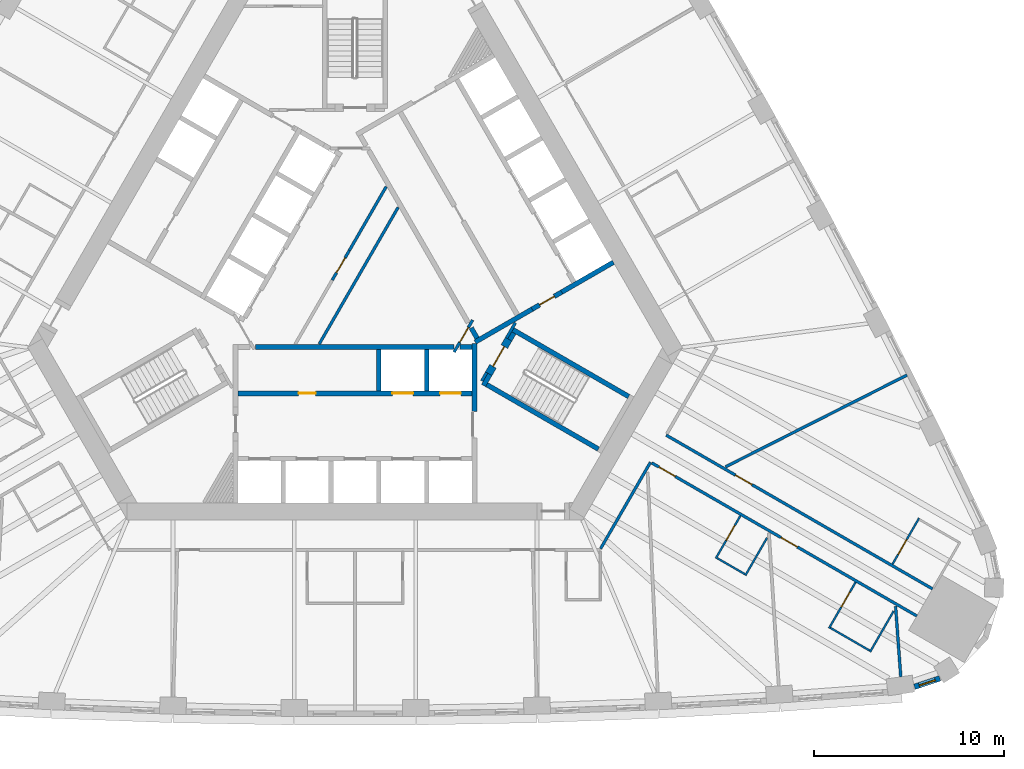
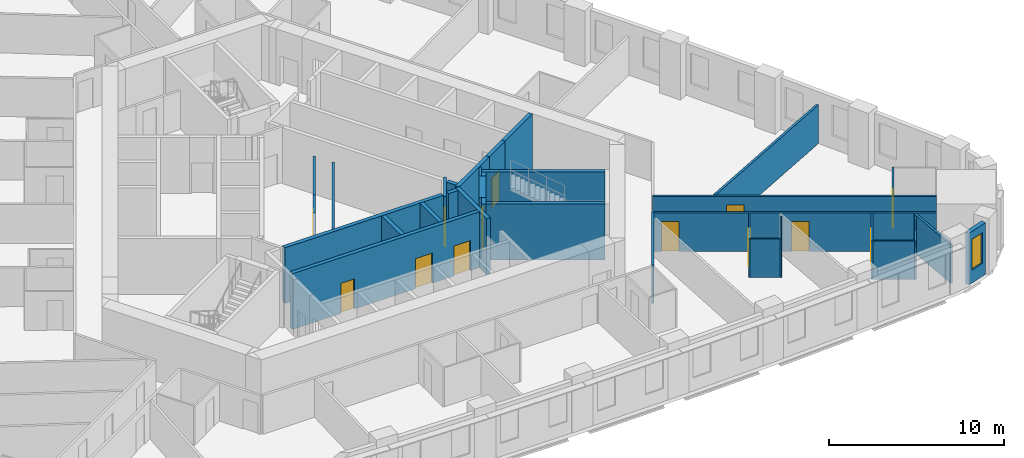
# One storey, part 7 of 12: 34 walls, 13 doors, 1 window, 14 openings.
"""IFC4 building model written with IfcOpenShell, lengths in metres."""

from ifc_helpers import new_model, si_unit, direction, frame, frame_2d, origin, place, context, subcontext, project, spatial, rectangle, extrude, material, layer, layer_set, type_object, element, fill, save


model = new_model("IFC4")

# Units and contexts
model_context = context("Model", 3, precision=1e-05, world=origin(), true_north=direction((0.0, 1.0)))
body_context = subcontext(model_context, "Body", "Model", "MODEL_VIEW")
ifc_project = project(units=[si_unit("LENGTHUNIT", "METRE"), si_unit("AREAUNIT", "SQUARE_METRE"), si_unit("VOLUMEUNIT", "CUBIC_METRE"), si_unit("PLANEANGLEUNIT", "RADIAN"), si_unit("MASSUNIT", "GRAM", prefix="KILO")], contexts=[model_context])

# Site, building, storey
site_placement = place(None, origin())
site = spatial("IfcSite", under=ifc_project, at=site_placement, CompositionType="ELEMENT")
building_placement = place(site_placement, origin())
building = spatial("IfcBuilding", under=site, at=building_placement, Name="Mestral Congress Tower", CompositionType="ELEMENT")
storey_placement = place(building_placement, frame((0.0, 0.0, 74.39990234375)))
storey = spatial("IfcBuildingStorey", under=building, at=storey_placement, Name="L17", CompositionType="ELEMENT", Elevation=74.39990234375)

# Walls
ifc_material_1 = material(Name="Fire-rated board partition")
ifc_layer_1 = layer(ifc_material_1, 0.14990234375)
ifc_layer_set_1 = layer_set([ifc_layer_1], Name="Fire-rated board partition")
wall_type_1 = type_object("IfcWallType", Name="Core partition 150", PredefinedType="PARTITIONING", material=ifc_layer_set_1)
wall_1_placement = place(storey_placement, frame((6.94482421875, -5.22216796875, 0.0), z_axis=(0.0, 0.0, 1.0), x_axis=(-0.499818422106, -0.866130212453, 0.0)))
element("IfcWall", 1, at=wall_1_placement, inside=storey, type_object=wall_type_1, Name="L17 core wall", PredefinedType="PARTITIONING", context=body_context, shape_type="SweptSolid", body=[
    extrude(rectangle(XDim=0.513916015625, YDim=0.14990234375, at=frame_2d((0.2568359375, 0.0))), origin(), (0.0, 0.0, 1.0), 2.7001953125),
])
wall_2_placement = place(storey_placement, frame((-1.886962890625, -3.71826171875, 0.0), z_axis=(0.0, 0.0, 1.0), x_axis=(0.500005008002, 0.866022512394, 0.0)))
element("IfcWall", 2, at=wall_2_placement, inside=storey, type_object=wall_type_1, Name="L17 core wall", PredefinedType="PARTITIONING", context=body_context, shape_type="SweptSolid", body=[
    extrude(rectangle(XDim=8.3271484375, YDim=0.14990234375, at=frame_2d((4.16357421875, 0.0))), origin(), (0.0, 0.0, 1.0), 2.7001953125),
])
wall_3_placement = place(storey_placement, frame((-0.2998046875, 1.21240234375, 0.0), z_axis=(0.0, 0.0, 1.0), x_axis=(0.499963101113, 0.866046706318, 0.0)))
element("IfcWall", 3, at=wall_3_placement, inside=storey, type_object=wall_type_1, Name="L17 core wall", PredefinedType="PARTITIONING", context=body_context, shape_type="SweptSolid", body=[
    extrude(rectangle(XDim=3.893310546875, YDim=0.14990234375, at=frame_2d((1.94677734375, 0.0))), origin(), (0.0, 0.0, 1.0), 2.7001953125),
])

# Wall, opening, door
wall_4_placement = place(storey_placement, frame((-1.199951171875, -0.346435546875, 0.0), z_axis=(0.0, 0.0, 1.0), x_axis=(0.499961193289, 0.866047807691, 0.0)))
wall_4 = element("IfcWall", 4, at=wall_4_placement, inside=storey, type_object=wall_type_1, Name="L17 door wall", PredefinedType="PARTITIONING", context=body_context, shape_type="SweptSolid", body=[
    extrude(rectangle(XDim=1.800048828125, YDim=0.14990234375, at=frame_2d((0.89990234375, 0.0))), origin(), (0.0, 0.0, 1.0), 2.7001953125),
])
opening_1_placement = place(wall_4_placement, frame((0.449951171875, 0.0, 0.0)))
opening_1 = element("IfcOpeningElement", 5, at=opening_1_placement, cuts=wall_4, Name="Opening SD-HUB1", PredefinedType="OPENING", context=body_context, shape_type="SweptSolid", body=[
    extrude(rectangle(XDim=0.89990234375, YDim=2.10009765625, at=frame_2d((0.449951171875, 1.050048828125))), frame((0.0, 0.0849609375, 0.0), z_axis=(0.0, -1.0, 0.0), x_axis=(1.0, 0.0, 0.0)), (0.0, 0.0, 1.0), 0.169921875),
])
ifc_material_2 = material(Name="Fire-rated steel door set", Category="steel")
door_type_1 = type_object("IfcDoorType", Name="Core door SR 900x2100", OperationType="SINGLE_SWING_LEFT", PredefinedType="DOOR", material=ifc_material_2)
door_1_placement = place(opening_1_placement, origin())
door_1 = element("IfcDoor", 6, at=door_1_placement, inside=storey, type_object=door_type_1, Name="Door SD-HUB1", OperationType="SINGLE_SWING_LEFT", OverallHeight=2.10009765625, OverallWidth=0.89990234375, PredefinedType="DOOR", context=body_context, shape_type="SweptSolid", body=[
    extrude(rectangle(XDim=0.89990234375, YDim=2.10009765625, at=frame_2d((0.449951171875, 1.050048828125))), frame((0.0, 0.02490234375, 0.0), z_axis=(0.0, -1.0, 0.0), x_axis=(1.0, 0.0, 0.0)), (0.0, 0.0, 1.0), 0.050048828125),
])
fill(opening_1, door_1)

# Wall, opening, window
ifc_material_3 = material(Name="Precast concrete C40/50 with limestone facing", Category="masonry")
ifc_layer_2 = layer(ifc_material_3, 0.2900390625)
ifc_layer_set_2 = layer_set([ifc_layer_2], Name="Precast concrete C40/50 with limestone facing")
wall_type_2 = type_object("IfcWallType", Name="Facade stone wall 290", PredefinedType="SOLIDWALL", material=ifc_layer_set_2)
wall_5_placement = place(storey_placement, frame((29.51171875, -21.80224609375, 0.0), z_axis=(0.0, 0.0, 1.0), x_axis=(0.947903891592, 0.318556450734, 0.0)))
wall_5 = element("IfcWall", 7, at=wall_5_placement, inside=storey, type_object=wall_type_2, Name="Facade wall K0-0", PredefinedType="SOLIDWALL", context=body_context, shape_type="SweptSolid", body=[
    extrude(rectangle(XDim=1.414794921875, YDim=0.2900390625, at=frame_2d((0.70751953125, 0.0))), origin(), (0.0, 0.0, 1.0), 3.60009765625),
])
opening_2_placement = place(wall_5_placement, frame((0.25732421875, 0.0, 0.89990234375)))
opening_2 = element("IfcOpeningElement", 8, at=opening_2_placement, cuts=wall_5, Name="Opening W3", PredefinedType="OPENING", context=body_context, shape_type="SweptSolid", body=[
    extrude(rectangle(XDim=0.89990234375, YDim=2.14990234375, at=frame_2d((0.449951171875, 1.074951171875))), frame((0.0, 0.155029296875, 0.0), z_axis=(0.0, -1.0, 0.0), x_axis=(1.0, 0.0, 0.0)), (0.0, 0.0, 1.0), 0.31005859375),
])
ifc_material_4 = material(Name="Clear low-emissivity double glazing", Category="glass")
window_type = type_object("IfcWindowType", Name="Facade punched window 900 x 2150 sill 900", PartitioningType="SINGLE_PANEL", PredefinedType="WINDOW", material=ifc_material_4)
window_placement = place(opening_2_placement, origin())
window = element("IfcWindow", 9, at=window_placement, inside=storey, type_object=window_type, Name="Window K0-0", OverallHeight=2.14990234375, OverallWidth=0.89990234375, PartitioningType="SINGLE_PANEL", PredefinedType="WINDOW", context=body_context, shape_type="SweptSolid", body=[
    extrude(rectangle(XDim=0.89990234375, YDim=2.14990234375, at=frame_2d((0.449951171875, 1.074951171875))), frame((0.0, 0.01513671875, 0.0), z_axis=(0.0, -1.0, 0.0), x_axis=(1.0, 0.0, 0.0)), (0.0, 0.0, 1.0), 0.06005859375),
])
fill(opening_2, window)

# Wall, opening, door
ifc_material_5 = material(Name="Gypsum board partition on metal studs with mineral wool", Category="composite")
ifc_layer_3 = layer(ifc_material_5, 0.10009765625)
ifc_layer_set_3 = layer_set([ifc_layer_3], Name="Gypsum board partition on metal studs with mineral wool")
wall_type_3 = type_object("IfcWallType", Name="Hotel partition wall 100", PredefinedType="PARTITIONING", material=ifc_layer_set_3)
wall_6_placement = place(storey_placement, frame((20.330078125, -12.77685546875, 0.0), z_axis=(0.0, 0.0, 1.0), x_axis=(-0.500006934395, -0.866021400173, 0.0)))
wall_6 = element("IfcWall", 10, at=wall_6_placement, inside=storey, type_object=wall_type_3, Name="L17-h-pod06a", PredefinedType="PARTITIONING", context=body_context, shape_type="SweptSolid", body=[
    extrude(rectangle(XDim=2.60009765625, YDim=0.10009765625, at=frame_2d((1.300048828125, 0.0))), origin(), (0.0, 0.0, 1.0), 2.7001953125),
])
opening_3_placement = place(wall_6_placement, frame((0.60009765625, 0.0, 0.0)))
opening_3 = element("IfcOpeningElement", 11, at=opening_3_placement, cuts=wall_6, Name="Opening H05-012", PredefinedType="OPENING", context=body_context, shape_type="SweptSolid", body=[
    extrude(rectangle(XDim=0.89990234375, YDim=2.10009765625, at=frame_2d((0.449951171875, 1.050048828125))), frame((0.0, 0.06005859375, 0.0), z_axis=(0.0, -1.0, 0.0), x_axis=(1.0, 0.0, 0.0)), (0.0, 0.0, 1.0), 0.1201171875),
])
ifc_material_6 = material(Name="Timber veneer door leaf in timber frame", Category="wood")
door_type_2 = type_object("IfcDoorType", Name="Bathroom door 900", OperationType="SINGLE_SWING_LEFT", PredefinedType="DOOR", material=ifc_material_6)
door_2_placement = place(opening_3_placement, origin())
door_2 = element("IfcDoor", 12, at=door_2_placement, inside=storey, type_object=door_type_2, Name="L17-h-d012", OperationType="SINGLE_SWING_RIGHT", OverallHeight=2.10009765625, OverallWidth=0.89990234375, PredefinedType="DOOR", context=body_context, shape_type="SweptSolid", body=[
    extrude(rectangle(XDim=0.89990234375, YDim=2.10009765625, at=frame_2d((0.449951171875, 1.050048828125))), frame((0.0, 0.02490234375, 0.0), z_axis=(0.0, -1.0, 0.0), x_axis=(1.0, 0.0, 0.0)), (0.0, 0.0, 1.0), 0.050048828125),
])
fill(opening_3, door_2)

# Walls
wall_7_placement = place(storey_placement, frame((19.098388671875, -15.01025390625, 0.0), z_axis=(0.0, 0.0, 1.0), x_axis=(0.86605165483, -0.499954529098, 0.0)))
element("IfcWall", 13, at=wall_7_placement, inside=storey, type_object=wall_type_3, Name="L17-h-pod06b", PredefinedType="PARTITIONING", context=body_context, shape_type="SweptSolid", body=[
    extrude(rectangle(XDim=1.699951171875, YDim=0.10009765625, at=frame_2d((0.85009765625, 0.0))), origin(), (0.0, 0.0, 1.0), 2.7001953125),
])
wall_8_placement = place(storey_placement, frame((21.73388671875, -13.9453125, 0.0), z_axis=(0.0, 0.0, 1.0), x_axis=(-0.500014693593, -0.866016920268, 0.0)))
element("IfcWall", 14, at=wall_8_placement, inside=storey, type_object=wall_type_3, Name="L17-h-pod06c", PredefinedType="PARTITIONING", context=body_context, shape_type="SweptSolid", body=[
    extrude(rectangle(XDim=2.2900390625, YDim=0.10009765625, at=frame_2d((1.14501953125, 0.0))), origin(), (0.0, 0.0, 1.0), 2.7001953125),
])

# Wall, opening, door
wall_9_placement = place(storey_placement, frame((26.40478515625, -16.2841796875, 0.0), z_axis=(0.0, 0.0, 1.0), x_axis=(-0.49998411664, -0.866034573852, 0.0)))
wall_9 = element("IfcWall", 15, at=wall_9_placement, inside=storey, type_object=wall_type_3, Name="L17-h-pod07a", PredefinedType="PARTITIONING", context=body_context, shape_type="SweptSolid", body=[
    extrude(rectangle(XDim=2.7998046875, YDim=0.10009765625, at=frame_2d((1.39990234375, 0.0))), origin(), (0.0, 0.0, 1.0), 2.7001953125),
])
opening_4_placement = place(wall_9_placement, frame((0.60009765625, 0.0, 0.0)))
opening_4 = element("IfcOpeningElement", 16, at=opening_4_placement, cuts=wall_9, Name="Opening H05-014", PredefinedType="OPENING", context=body_context, shape_type="SweptSolid", body=[
    extrude(rectangle(XDim=0.89990234375, YDim=2.10009765625, at=frame_2d((0.449951171875, 1.050048828125))), frame((0.0, 0.06005859375, 0.0), z_axis=(0.0, -1.0, 0.0), x_axis=(1.0, 0.0, 0.0)), (0.0, 0.0, 1.0), 0.1201171875),
])
door_3_placement = place(opening_4_placement, origin())
door_3 = element("IfcDoor", 17, at=door_3_placement, inside=storey, type_object=door_type_2, Name="L17-h-d014", OperationType="SINGLE_SWING_LEFT", OverallHeight=2.10009765625, OverallWidth=0.89990234375, PredefinedType="DOOR", context=body_context, shape_type="SweptSolid", body=[
    extrude(rectangle(XDim=0.89990234375, YDim=2.10009765625, at=frame_2d((0.449951171875, 1.050048828125))), frame((0.0, 0.02490234375, 0.0), z_axis=(0.0, -1.0, 0.0), x_axis=(1.0, 0.0, 0.0)), (0.0, 0.0, 1.0), 0.050048828125),
])
fill(opening_4, door_3)

# Walls
wall_10_placement = place(storey_placement, frame((25.0732421875, -18.690673828125, 0.0), z_axis=(0.0, 0.0, 1.0), x_axis=(0.866024647952, -0.500001309137, 0.0)))
element("IfcWall", 18, at=wall_10_placement, inside=storey, type_object=wall_type_3, Name="L17-h-pod07b", PredefinedType="PARTITIONING", context=body_context, shape_type="SweptSolid", body=[
    extrude(rectangle(XDim=2.39990234375, YDim=0.10009765625, at=frame_2d((1.199951171875, 0.0))), origin(), (0.0, 0.0, 1.0), 2.7001953125),
])
wall_11_placement = place(storey_placement, frame((28.414794921875, -17.802490234375, 0.0), z_axis=(0.0, 0.0, 1.0), x_axis=(-0.499945955465, -0.866056604163, 0.0)))
element("IfcWall", 19, at=wall_11_placement, inside=storey, type_object=wall_type_3, Name="L17-h-pod07c", PredefinedType="PARTITIONING", context=body_context, shape_type="SweptSolid", body=[
    extrude(rectangle(XDim=2.489990234375, YDim=0.10009765625, at=frame_2d((1.2451171875, 0.0))), origin(), (0.0, 0.0, 1.0), 2.7001953125),
])

# Wall, opening, door
wall_12_placement = place(storey_placement, frame((29.75244140625, -12.9052734375, 0.0), z_axis=(0.0, 0.0, 1.0), x_axis=(-0.500049511043, -0.865996816683, 0.0)))
wall_12 = element("IfcWall", 20, at=wall_12_placement, inside=storey, type_object=wall_type_3, Name="L17-h-pod08a", PredefinedType="PARTITIONING", context=body_context, shape_type="SweptSolid", body=[
    extrude(rectangle(XDim=2.800048828125, YDim=0.10009765625, at=frame_2d((1.39990234375, 0.0))), origin(), (0.0, 0.0, 1.0), 2.7001953125),
])
opening_5_placement = place(wall_12_placement, frame((1.300048828125, 0.0, 0.0)))
opening_5 = element("IfcOpeningElement", 21, at=opening_5_placement, cuts=wall_12, Name="Opening H05-016", PredefinedType="OPENING", context=body_context, shape_type="SweptSolid", body=[
    extrude(rectangle(XDim=0.89990234375, YDim=2.10009765625, at=frame_2d((0.449951171875, 1.050048828125))), frame((0.0, 0.06005859375, 0.0), z_axis=(0.0, -1.0, 0.0), x_axis=(1.0, 0.0, 0.0)), (0.0, 0.0, 1.0), 0.1201171875),
])
door_4_placement = place(opening_5_placement, origin())
door_4 = element("IfcDoor", 22, at=door_4_placement, inside=storey, type_object=door_type_2, Name="L17-h-d016", OperationType="SINGLE_SWING_LEFT", OverallHeight=2.10009765625, OverallWidth=0.89990234375, PredefinedType="DOOR", context=body_context, shape_type="SweptSolid", body=[
    extrude(rectangle(XDim=0.89990234375, YDim=2.10009765625, at=frame_2d((0.449951171875, 1.050048828125))), frame((0.0, 0.02490234375, 0.0), z_axis=(0.0, -1.0, 0.0), x_axis=(1.0, 0.0, 0.0)), (0.0, 0.0, 1.0), 0.050048828125),
])
fill(opening_5, door_4)

ifc_layer_4 = layer(ifc_material_5, 0.14990234375)
ifc_layer_set_4 = layer_set([ifc_layer_4], Name="Gypsum board partition on metal studs with mineral wool")
wall_type_4 = type_object("IfcWallType", Name="Hotel partition wall 150", PredefinedType="PARTITIONING", material=ifc_layer_set_4)
wall_13_placement = place(storey_placement, frame((16.412353515625, -8.52294921875, 0.0), z_axis=(0.0, 0.0, 1.0), x_axis=(0.866022197818, -0.500005552856, 0.0)))
wall_13 = element("IfcWall", 23, at=wall_13_placement, inside=storey, type_object=wall_type_4, Name="L17-h-cw01", PredefinedType="PARTITIONING", context=body_context, shape_type="SweptSolid", body=[
    extrude(rectangle(XDim=16.223876953125, YDim=0.14990234375, at=frame_2d((8.11181640625, 0.0))), origin(), (0.0, 0.0, 1.0), 2.7001953125),
])
opening_6_placement = place(wall_13_placement, frame((4.223388671875, 0.0, 0.0)))
opening_6 = element("IfcOpeningElement", 24, at=opening_6_placement, cuts=wall_13, Name="Opening H05-015", PredefinedType="OPENING", context=body_context, shape_type="SweptSolid", body=[
    extrude(rectangle(XDim=1.0, YDim=2.10009765625, at=frame_2d((0.5, 1.050048828125))), frame((0.0, 0.0849609375, 0.0), z_axis=(0.0, -1.0, 0.0), x_axis=(1.0, 0.0, 0.0)), (0.0, 0.0, 1.0), 0.169921875),
])
ifc_material_7 = material(Name="Timber veneer door leaf in metal frame", Category="wood")
door_type_3 = type_object("IfcDoorType", Name="Guest room entrance door 1000", OperationType="SINGLE_SWING_LEFT", PredefinedType="DOOR", material=ifc_material_7)
door_5_placement = place(opening_6_placement, origin())
door_5 = element("IfcDoor", 25, at=door_5_placement, inside=storey, type_object=door_type_3, Name="L17-h-d015", OperationType="SINGLE_SWING_LEFT", OverallHeight=2.10009765625, OverallWidth=1.0, PredefinedType="DOOR", context=body_context, shape_type="SweptSolid", body=[
    extrude(rectangle(XDim=1.0, YDim=2.10009765625, at=frame_2d((0.5, 1.050048828125))), frame((0.0, 0.02490234375, 0.0), z_axis=(0.0, -1.0, 0.0), x_axis=(1.0, 0.0, 0.0)), (0.0, 0.0, 1.0), 0.050048828125),
])
fill(opening_6, door_5)

# Wall
wall_14_placement = place(storey_placement, frame((15.58740234375, -9.951904296875, 0.0), z_axis=(0.0, 0.0, 1.0), x_axis=(-0.500016618951, -0.866015808616, 0.0)))
element("IfcWall", 26, at=wall_14_placement, inside=storey, type_object=wall_type_4, Name="L17-h-cw14", PredefinedType="PARTITIONING", context=body_context, shape_type="SweptSolid", body=[
    extrude(rectangle(XDim=5.268310546875, YDim=0.14990234375, at=frame_2d((2.63427734375, 0.0))), origin(), (0.0, 0.0, 1.0), 2.7001953125),
])

# Wall, openings, doors
wall_15_placement = place(storey_placement, frame((29.6376953125, -18.06396484375, 0.0), z_axis=(0.0, 0.0, 1.0), x_axis=(-0.866026175601, 0.499998663172, 0.0)))
wall_15 = element("IfcWall", 27, at=wall_15_placement, inside=storey, type_object=wall_type_4, Name="L17-h-cw15", PredefinedType="PARTITIONING", context=body_context, shape_type="SweptSolid", body=[
    extrude(rectangle(XDim=16.14404296875, YDim=0.14990234375, at=frame_2d((8.072021484375, 0.0))), origin(), (0.0, 0.0, 1.0), 2.7001953125),
])
opening_7_placement = place(wall_15_placement, frame((14.7138671875, 0.0, 0.0)))
opening_7 = element("IfcOpeningElement", 28, at=opening_7_placement, cuts=wall_15, Name="Opening H05-011", PredefinedType="OPENING", context=body_context, shape_type="SweptSolid", body=[
    extrude(rectangle(XDim=1.0, YDim=2.10009765625, at=frame_2d((0.5, 1.050048828125))), frame((0.0, 0.0849609375, 0.0), z_axis=(0.0, -1.0, 0.0), x_axis=(1.0, 0.0, 0.0)), (0.0, 0.0, 1.0), 0.169921875),
])
opening_8_placement = place(wall_15_placement, frame((7.275146484375, 0.0, 0.0)))
opening_8 = element("IfcOpeningElement", 29, at=opening_8_placement, cuts=wall_15, Name="Opening H05-013", PredefinedType="OPENING", context=body_context, shape_type="SweptSolid", body=[
    extrude(rectangle(XDim=1.0, YDim=2.10009765625, at=frame_2d((0.5, 1.050048828125))), frame((0.0, 0.0849609375, 0.0), z_axis=(0.0, -1.0, 0.0), x_axis=(1.0, 0.0, 0.0)), (0.0, 0.0, 1.0), 0.169921875),
])
door_6_placement = place(opening_7_placement, origin())
door_6 = element("IfcDoor", 30, at=door_6_placement, inside=storey, type_object=door_type_3, Name="L17-h-d011", OperationType="SINGLE_SWING_RIGHT", OverallHeight=2.10009765625, OverallWidth=1.0, PredefinedType="DOOR", context=body_context, shape_type="SweptSolid", body=[
    extrude(rectangle(XDim=1.0, YDim=2.10009765625, at=frame_2d((0.5, 1.050048828125))), frame((0.0, 0.02490234375, 0.0), z_axis=(0.0, -1.0, 0.0), x_axis=(1.0, 0.0, 0.0)), (0.0, 0.0, 1.0), 0.050048828125),
])
fill(opening_7, door_6)
door_7_placement = place(opening_8_placement, origin())
door_7 = element("IfcDoor", 31, at=door_7_placement, inside=storey, type_object=door_type_3, Name="L17-h-d013", OperationType="SINGLE_SWING_RIGHT", OverallHeight=2.10009765625, OverallWidth=1.0, PredefinedType="DOOR", context=body_context, shape_type="SweptSolid", body=[
    extrude(rectangle(XDim=1.0, YDim=2.10009765625, at=frame_2d((0.5, 1.050048828125))), frame((0.0, 0.02490234375, 0.0), z_axis=(0.0, -1.0, 0.0), x_axis=(1.0, 0.0, 0.0)), (0.0, 0.0, 1.0), 0.050048828125),
])
fill(opening_8, door_7)

# Walls
wall_16_placement = place(storey_placement, frame((29.119873046875, -5.355712890625, 0.0), z_axis=(0.0, 0.0, 1.0), x_axis=(-0.892401965553, -0.451241323327, 0.0)))
element("IfcWall", 32, at=wall_16_placement, inside=storey, type_object=wall_type_4, Name="L17-h-pw21", PredefinedType="PARTITIONING", context=body_context, shape_type="SweptSolid", body=[
    extrude(rectangle(XDim=10.728759765625, YDim=0.14990234375, at=frame_2d((5.3642578125, 0.0))), origin(), (0.0, 0.0, 1.0), 2.7001953125),
])
wall_17_placement = place(storey_placement, frame((28.78955078125, -21.272705078125, 0.0), z_axis=(0.0, 0.0, 1.0), x_axis=(-0.07382592098, 0.997271143366, 0.0)))
element("IfcWall", 33, at=wall_17_placement, inside=storey, type_object=wall_type_4, Name="L17-h-pw23", PredefinedType="PARTITIONING", context=body_context, shape_type="SweptSolid", body=[
    extrude(rectangle(XDim=3.733642578125, YDim=0.14990234375, at=frame_2d((1.86669921875, 0.0))), origin(), (0.0, 0.0, 1.0), 2.7001953125),
])
ifc_material_8 = material(Name="Concrete C60/75", Category="concrete")
ifc_layer_5 = layer(ifc_material_8, 0.25)
ifc_layer_set_5 = layer_set([ifc_layer_5], Name="Concrete C60/75")
wall_type_5 = type_object("IfcWallType", Name="Shaft wall RC 250", PredefinedType="SOLIDWALL", material=ifc_layer_set_5)
wall_18_placement = place(storey_placement, frame((-5.25927734375, -3.875, 0.0), z_axis=(0.0, 0.0, 1.0), x_axis=(1.0, 0.0, 0.0)))
element("IfcWall", 34, at=wall_18_placement, inside=storey, type_object=wall_type_5, Name="L17 core wall", PredefinedType="SOLIDWALL", context=body_context, shape_type="SweptSolid", body=[
    extrude(rectangle(XDim=10.488525390625, YDim=0.25, at=frame_2d((5.244140625, 0.0))), origin(), (0.0, 0.0, 1.0), 3.900146484375),
])
for number, where, z_axis, x_axis, name in (
    (35, (3.780029296875, -4.0, 0.0), (0.0, 0.0, 1.0), (0.0, -1.0, 0.0), "L17 core wall"),
    (36, (1.260009765625, -4.0, 0.0), (0.0, 0.0, 1.0), (0.0, -1.0, 0.0), "L17 core wall"),
):
    element("IfcWall", number, at=place(storey_placement, frame(where, z_axis=z_axis, x_axis=x_axis)), inside=storey, type_object=wall_type_5, Name=name, PredefinedType="SOLIDWALL", context=body_context, shape_type="SweptSolid", body=[
        extrude(rectangle(XDim=2.199951171875, YDim=0.25, at=frame_2d((1.10009765625, 0.0))), origin(), (0.0, 0.0, 1.0), 3.900146484375),
    ])
wall_19_placement = place(storey_placement, frame((6.300048828125, -7.27001953125, 0.0), z_axis=(0.0, 0.0, 1.0), x_axis=(0.0, 1.0, 0.0)))
element("IfcWall", 37, at=wall_19_placement, inside=storey, type_object=wall_type_5, Name="L17 core wall", PredefinedType="SOLIDWALL", context=body_context, shape_type="SweptSolid", body=[
    extrude(rectangle(XDim=3.586181640625, YDim=0.25, at=frame_2d((1.79296875, 0.0))), origin(), (0.0, 0.0, 1.0), 3.900146484375),
])
wall_20_placement = place(storey_placement, frame((5.538330078125, -3.875, 0.0), z_axis=(0.0, 0.0, 1.0), x_axis=(1.0, 0.0, 0.0)))
element("IfcWall", 38, at=wall_20_placement, inside=storey, type_object=wall_type_5, Name="L17 core wall", PredefinedType="SOLIDWALL", context=body_context, shape_type="SweptSolid", body=[
    extrude(rectangle(XDim=0.63671875, YDim=0.25, at=frame_2d((0.318359375, 0.0))), origin(), (0.0, 0.0, 1.0), 3.900146484375),
])
wall_21_placement = place(storey_placement, frame((13.62890625, 0.593994140625, 0.0), z_axis=(0.0, 0.0, 1.0), x_axis=(-0.86602790099, -0.499995674689, 0.0)))
element("IfcWall", 39, at=wall_21_placement, inside=storey, type_object=wall_type_5, Name="L17 core wall", PredefinedType="SOLIDWALL", context=body_context, shape_type="SweptSolid", body=[
    extrude(rectangle(XDim=3.1455078125, YDim=0.25, at=frame_2d((1.57275390625, 0.0))), origin(), (0.0, 0.0, 1.0), 3.900146484375),
])
wall_22_placement = place(storey_placement, frame((9.345703125, -1.87890625, 0.0), z_axis=(0.0, 0.0, 1.0), x_axis=(-0.866048528039, -0.499959945477, 0.0)))
element("IfcWall", 40, at=wall_22_placement, inside=storey, type_object=wall_type_5, Name="L17 core wall", PredefinedType="SOLIDWALL", context=body_context, shape_type="SweptSolid", body=[
    extrude(rectangle(XDim=3.470458984375, YDim=0.25, at=frame_2d((1.7353515625, 0.0))), origin(), (0.0, 0.0, 1.0), 3.900146484375),
])
wall_23_placement = place(storey_placement, frame((6.1298828125, -2.867431640625, 0.0), z_axis=(0.0, 0.0, 1.0), x_axis=(0.500160776593, -0.865932559475, 0.0)))
element("IfcWall", 41, at=wall_23_placement, inside=storey, type_object=wall_type_5, Name="L17 core wall", PredefinedType="SOLIDWALL", context=body_context, shape_type="SweptSolid", body=[
    extrude(rectangle(XDim=0.626708984375, YDim=0.25, at=frame_2d((0.3134765625, 0.0))), origin(), (0.0, 0.0, 1.0), 3.900146484375),
])

# Wall, openings, doors
wall_24_placement = place(storey_placement, frame((-6.175048828125, -6.324951171875, 0.0), z_axis=(0.0, 0.0, 1.0), x_axis=(1.0, 0.0, 0.0)))
wall_24 = element("IfcWall", 42, at=wall_24_placement, inside=storey, type_object=wall_type_5, Name="L17 door wall", PredefinedType="SOLIDWALL", context=body_context, shape_type="SweptSolid", body=[
    extrude(rectangle(XDim=12.35009765625, YDim=0.25, at=frame_2d((6.175048828125, 0.0))), origin(), (0.0, 0.0, 1.0), 3.900146484375),
])
opening_9_placement = place(wall_24_placement, frame((3.205078125, 0.0, 0.0)))
opening_9 = element("IfcOpeningElement", 43, at=opening_9_placement, cuts=wall_24, Name="Opening SR-SOB1", PredefinedType="OPENING", context=body_context, shape_type="SweptSolid", body=[
    extrude(rectangle(XDim=0.89990234375, YDim=2.10009765625, at=frame_2d((0.449951171875, 1.050048828125))), frame((0.0, 0.135009765625, 0.0), z_axis=(0.0, -1.0, 0.0), x_axis=(1.0, 0.0, 0.0)), (0.0, 0.0, 1.0), 0.27001953125),
])
opening_10_placement = place(wall_24_placement, frame((8.14501953125, 0.0, 0.0)))
opening_10 = element("IfcOpeningElement", 44, at=opening_10_placement, cuts=wall_24, Name="Opening LD-SOB4", PredefinedType="OPENING", context=body_context, shape_type="SweptSolid", body=[
    extrude(rectangle(XDim=1.10009765625, YDim=2.10009765625, at=frame_2d((0.550048828125, 1.050048828125))), frame((0.0, 0.135009765625, 0.0), z_axis=(0.0, -1.0, 0.0), x_axis=(1.0, 0.0, 0.0)), (0.0, 0.0, 1.0), 0.27001953125),
])
opening_11_placement = place(wall_24_placement, frame((10.6650390625, 0.0, 0.0)))
opening_11 = element("IfcOpeningElement", 45, at=opening_11_placement, cuts=wall_24, Name="Opening LD-SOB5", PredefinedType="OPENING", context=body_context, shape_type="SweptSolid", body=[
    extrude(rectangle(XDim=1.10009765625, YDim=2.10009765625, at=frame_2d((0.550048828125, 1.050048828125))), frame((0.0, 0.135009765625, 0.0), z_axis=(0.0, -1.0, 0.0), x_axis=(1.0, 0.0, 0.0)), (0.0, 0.0, 1.0), 0.27001953125),
])
door_type_4 = type_object("IfcDoorType", Name="Core door LD 1100x2100", OperationType="DOUBLE_DOOR_SLIDING", PredefinedType="DOOR", material=ifc_material_2)
door_8_placement = place(opening_10_placement, origin())
door_8 = element("IfcDoor", 46, at=door_8_placement, inside=storey, type_object=door_type_4, Name="Door LD-SOB4", OperationType="DOUBLE_DOOR_SLIDING", OverallHeight=2.10009765625, OverallWidth=1.10009765625, PredefinedType="DOOR", context=body_context, shape_type="SweptSolid", body=[
    extrude(rectangle(XDim=1.10009765625, YDim=2.10009765625, at=frame_2d((0.550048828125, 1.050048828125))), frame((0.0, 0.02490234375, 0.0), z_axis=(0.0, -1.0, 0.0), x_axis=(1.0, 0.0, 0.0)), (0.0, 0.0, 1.0), 0.050048828125),
])
fill(opening_10, door_8)
door_9_placement = place(opening_11_placement, origin())
door_9 = element("IfcDoor", 47, at=door_9_placement, inside=storey, type_object=door_type_4, Name="Door LD-SOB5", OperationType="DOUBLE_DOOR_SLIDING", OverallHeight=2.10009765625, OverallWidth=1.10009765625, PredefinedType="DOOR", context=body_context, shape_type="SweptSolid", body=[
    extrude(rectangle(XDim=1.10009765625, YDim=2.10009765625, at=frame_2d((0.550048828125, 1.050048828125))), frame((0.0, 0.02490234375, 0.0), z_axis=(0.0, -1.0, 0.0), x_axis=(1.0, 0.0, 0.0)), (0.0, 0.0, 1.0), 0.050048828125),
])
fill(opening_11, door_9)
door_10_placement = place(opening_9_placement, origin())
door_10 = element("IfcDoor", 48, at=door_10_placement, inside=storey, type_object=door_type_1, Name="Door SR-SOB1", OperationType="SINGLE_SWING_LEFT", OverallHeight=2.10009765625, OverallWidth=0.89990234375, PredefinedType="DOOR", context=body_context, shape_type="SweptSolid", body=[
    extrude(rectangle(XDim=0.89990234375, YDim=2.10009765625, at=frame_2d((0.449951171875, 1.050048828125))), frame((0.0, 0.02490234375, 0.0), z_axis=(0.0, -1.0, 0.0), x_axis=(1.0, 0.0, 0.0)), (0.0, 0.0, 1.0), 0.050048828125),
])
fill(opening_9, door_10)

# Wall, opening, door
wall_25_placement = place(storey_placement, frame((9.345947265625, -1.878662109375, 0.0), z_axis=(0.0, 0.0, 1.0), x_axis=(0.866047807691, 0.499961193289, 0.0)))
wall_25 = element("IfcWall", 49, at=wall_25_placement, inside=storey, type_object=wall_type_5, Name="L17 door wall", PredefinedType="SOLIDWALL", context=body_context, shape_type="SweptSolid", body=[
    extrude(rectangle(XDim=1.800048828125, YDim=0.25, at=frame_2d((0.89990234375, 0.0))), origin(), (0.0, 0.0, 1.0), 3.900146484375),
])
opening_12_placement = place(wall_25_placement, frame((0.449951171875, 0.0, 0.0)))
opening_12 = element("IfcOpeningElement", 50, at=opening_12_placement, cuts=wall_25, Name="Opening TD1", PredefinedType="OPENING", context=body_context, shape_type="SweptSolid", body=[
    extrude(rectangle(XDim=0.89990234375, YDim=2.10009765625, at=frame_2d((0.449951171875, 1.050048828125))), frame((0.0, 0.135009765625, 0.0), z_axis=(0.0, -1.0, 0.0), x_axis=(1.0, 0.0, 0.0)), (0.0, 0.0, 1.0), 0.27001953125),
])
door_11_placement = place(opening_12_placement, origin())
door_11 = element("IfcDoor", 51, at=door_11_placement, inside=storey, type_object=door_type_1, Name="Door TD1", OperationType="SINGLE_SWING_LEFT", OverallHeight=2.10009765625, OverallWidth=0.89990234375, PredefinedType="DOOR", context=body_context, shape_type="SweptSolid", body=[
    extrude(rectangle(XDim=0.89990234375, YDim=2.10009765625, at=frame_2d((0.449951171875, 1.050048828125))), frame((0.0, 0.02490234375, 0.0), z_axis=(0.0, -1.0, 0.0), x_axis=(1.0, 0.0, 0.0)), (0.0, 0.0, 1.0), 0.050048828125),
])
fill(opening_12, door_11)

# Wall
ifc_layer_6 = layer(ifc_material_8, 0.14990234375)
ifc_layer_set_6 = layer_set([ifc_layer_6], Name="Concrete C60/75")
wall_type_6 = type_object("IfcWallType", Name="Shaft wall RC 250 door-wall 150", PredefinedType="SOLIDWALL", material=ifc_layer_set_6)
wall_26_placement = place(storey_placement, frame((8.459228515625, -2.59912109375, 0.0), z_axis=(0.0, 0.0, 1.0), x_axis=(-0.500041054325, -0.866001699761, 0.0)))
element("IfcWall", 52, at=wall_26_placement, inside=storey, type_object=wall_type_6, Name="L17 core wall", PredefinedType="PARTITIONING", context=body_context, shape_type="SweptSolid", body=[
    extrude(rectangle(XDim=0.9287109375, YDim=0.14990234375, at=frame_2d((0.46435546875, 0.0))), origin(), (0.0, 0.0, 1.0), 3.900146484375),
])

# Wall, opening, door
wall_27_placement = place(storey_placement, frame((6.203369140625, -2.45556640625, 0.0), z_axis=(0.0, 0.0, 1.0), x_axis=(-0.500043961785, -0.866000020948, 0.0)))
wall_27 = element("IfcWall", 53, at=wall_27_placement, inside=storey, type_object=wall_type_6, Name="L17 door wall", PredefinedType="PARTITIONING", context=body_context, shape_type="SweptSolid", body=[
    extrude(rectangle(XDim=1.949951171875, YDim=0.14990234375, at=frame_2d((0.97509765625, 0.0))), origin(), (0.0, 0.0, 1.0), 3.900146484375),
])
opening_13_placement = place(wall_27_placement, frame((0.449951171875, 0.0, 0.0)))
opening_13 = element("IfcOpeningElement", 54, at=opening_13_placement, cuts=wall_27, Name="Opening CD1-HUB0", PredefinedType="OPENING", context=body_context, shape_type="SweptSolid", body=[
    extrude(rectangle(XDim=0.89990234375, YDim=2.10009765625, at=frame_2d((0.449951171875, 1.050048828125))), frame((0.0, 0.0849609375, 0.0), z_axis=(0.0, -1.0, 0.0), x_axis=(1.0, 0.0, 0.0)), (0.0, 0.0, 1.0), 0.169921875),
])
door_type_5 = type_object("IfcDoorType", Name="Core door CD 900x2100", OperationType="SINGLE_SWING_LEFT", PredefinedType="DOOR", material=ifc_material_2)
door_12_placement = place(opening_13_placement, origin())
door_12 = element("IfcDoor", 55, at=door_12_placement, inside=storey, type_object=door_type_5, Name="Door CD1-HUB0", OperationType="SINGLE_SWING_LEFT", OverallHeight=2.10009765625, OverallWidth=0.89990234375, PredefinedType="DOOR", context=body_context, shape_type="SweptSolid", body=[
    extrude(rectangle(XDim=0.89990234375, YDim=2.10009765625, at=frame_2d((0.449951171875, 1.050048828125))), frame((0.0, 0.02490234375, 0.0), z_axis=(0.0, -1.0, 0.0), x_axis=(1.0, 0.0, 0.0)), (0.0, 0.0, 1.0), 0.050048828125),
])
fill(opening_13, door_12)

# Walls
ifc_layer_7 = layer(ifc_material_8, 0.25)
ifc_layer_set_7 = layer_set([ifc_layer_7], Name="Concrete C60/75")
wall_type_7 = type_object("IfcWallType", Name="Stair wall RC 250", PredefinedType="SOLIDWALL", material=ifc_layer_set_7)
wall_28_placement = place(storey_placement, frame((12.83984375, -9.2607421875, 0.0), z_axis=(0.0, 0.0, 1.0), x_axis=(-0.866013990052, 0.500019768644, 0.0)))
element("IfcWall", 56, at=wall_28_placement, inside=storey, type_object=wall_type_7, Name="L17 core wall", PredefinedType="SOLIDWALL", context=body_context, shape_type="SweptSolid", body=[
    extrude(rectangle(XDim=6.800048828125, YDim=0.25, at=frame_2d((3.39990234375, 0.0))), origin(), (0.0, 0.0, 1.0), 3.900146484375),
])
wall_29_placement = place(storey_placement, frame((6.780029296875, -5.906494140625, 0.0), z_axis=(0.0, 0.0, 1.0), x_axis=(0.500223362819, 0.865896406789, 0.0)))
element("IfcWall", 57, at=wall_29_placement, inside=storey, type_object=wall_type_7, Name="L17 core wall", PredefinedType="SOLIDWALL", context=body_context, shape_type="SweptSolid", body=[
    extrude(rectangle(XDim=0.675048828125, YDim=0.25, at=frame_2d((0.33740234375, 0.0))), origin(), (0.0, 0.0, 1.0), 3.900146484375),
])
wall_30_placement = place(storey_placement, frame((8.33447265625, -2.96435546875, 0.0), z_axis=(0.0, 0.0, 1.0), x_axis=(0.866016039709, -0.500016218704, 0.0)))
element("IfcWall", 58, at=wall_30_placement, inside=storey, type_object=wall_type_7, Name="L17 core wall", PredefinedType="SOLIDWALL", context=body_context, shape_type="SweptSolid", body=[
    extrude(rectangle(XDim=7.050048828125, YDim=0.25, at=frame_2d((3.52490234375, 0.0))), origin(), (0.0, 0.0, 1.0), 3.900146484375),
])
wall_31_placement = place(storey_placement, frame((8.167724609375, -3.503173828125, 0.0), z_axis=(0.0, 0.0, 1.0), x_axis=(0.49972245349, 0.866185586049, 0.0)))
element("IfcWall", 59, at=wall_31_placement, inside=storey, type_object=wall_type_7, Name="L17 core wall", PredefinedType="SOLIDWALL", context=body_context, shape_type="SweptSolid", body=[
    extrude(rectangle(XDim=0.425048828125, YDim=0.25, at=frame_2d((0.21240234375, 0.0))), origin(), (0.0, 0.0, 1.0), 3.900146484375),
])

# Wall, opening, door
ifc_layer_8 = layer(ifc_material_8, 0.39990234375)
ifc_layer_set_8 = layer_set([ifc_layer_8], Name="Concrete C60/75")
wall_type_8 = type_object("IfcWallType", Name="Stair wall RC 250 door-wall 400", PredefinedType="SOLIDWALL", material=ifc_layer_set_8)
wall_32_placement = place(storey_placement, frame((7.052734375, -5.2841796875, 0.0), z_axis=(0.0, 0.0, 1.0), x_axis=(0.500078061341, 0.865980330357, 0.0)))
wall_32 = element("IfcWall", 60, at=wall_32_placement, inside=storey, type_object=wall_type_8, Name="L17 door wall", PredefinedType="SOLIDWALL", context=body_context, shape_type="SweptSolid", body=[
    extrude(rectangle(XDim=2.099853515625, YDim=0.39990234375, at=frame_2d((1.0498046875, 0.0))), origin(), (0.0, 0.0, 1.0), 3.900146484375),
])
opening_14_placement = place(wall_32_placement, frame((0.449951171875, 0.0, 0.0)))
opening_14 = element("IfcOpeningElement", 61, at=opening_14_placement, cuts=wall_32, Name="Opening ST-D1", PredefinedType="OPENING", context=body_context, shape_type="SweptSolid", body=[
    extrude(rectangle(XDim=1.199951171875, YDim=2.10009765625, at=frame_2d((0.60009765625, 1.050048828125))), frame((0.0, 0.2099609375, 0.0), z_axis=(0.0, -1.0, 0.0), x_axis=(1.0, 0.0, 0.0)), (0.0, 0.0, 1.0), 0.419921875),
])
door_type_6 = type_object("IfcDoorType", Name="Core door ST 1200x2100", OperationType="SINGLE_SWING_LEFT", PredefinedType="DOOR", material=ifc_material_2)
door_13_placement = place(opening_14_placement, origin())
door_13 = element("IfcDoor", 62, at=door_13_placement, inside=storey, type_object=door_type_6, Name="Door ST-D1", OperationType="SINGLE_SWING_LEFT", OverallHeight=2.10009765625, OverallWidth=1.199951171875, PredefinedType="DOOR", context=body_context, shape_type="SweptSolid", body=[
    extrude(rectangle(XDim=1.199951171875, YDim=2.10009765625, at=frame_2d((0.60009765625, 1.050048828125))), frame((0.0, 0.02490234375, 0.0), z_axis=(0.0, -1.0, 0.0), x_axis=(1.0, 0.0, 0.0)), (0.0, 0.0, 1.0), 0.050048828125),
])
fill(opening_14, door_13)

save(model, "model.ifc")
